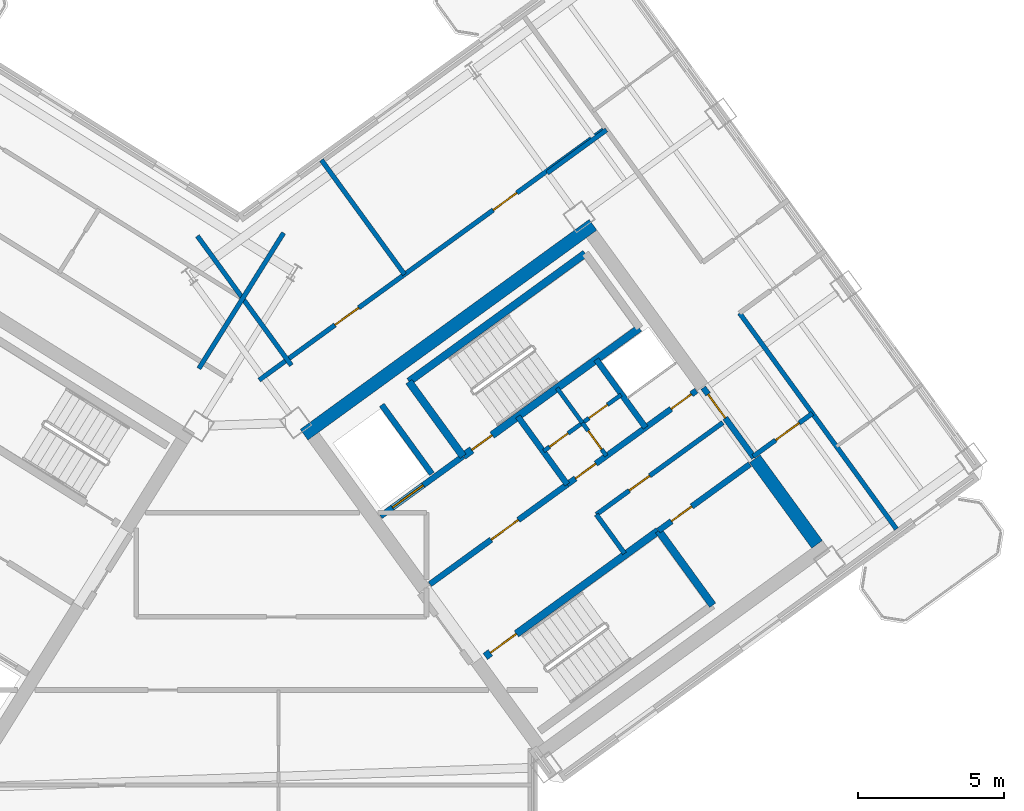
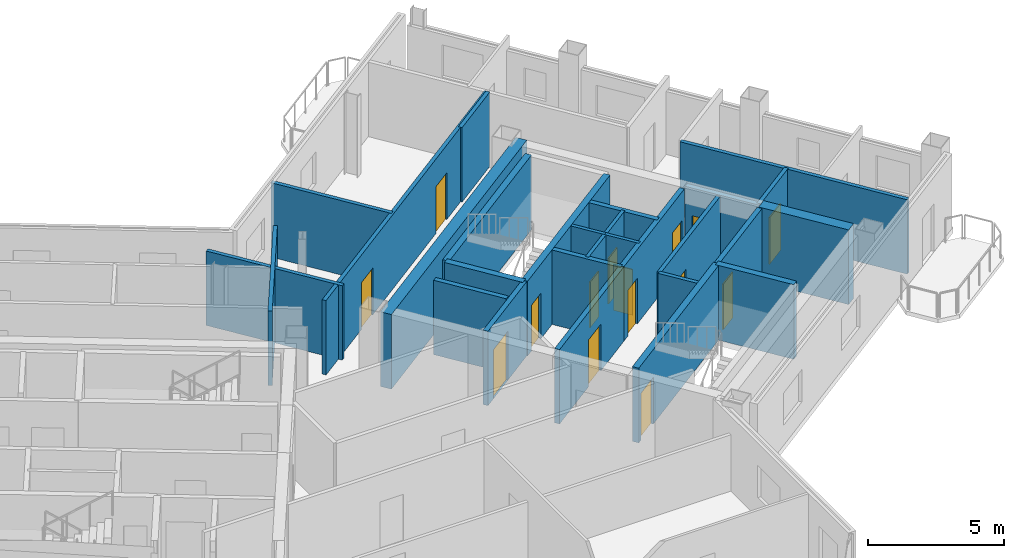
# One storey, part 14 of 21: 27 walls, 15 doors, 15 openings.
"""IFC4 building model written with IfcOpenShell, lengths in metres."""

from ifc_helpers import new_model, si_unit, direction, frame, frame_2d, origin, place, context, subcontext, project, spatial, rectangle, extrude, source, transform, mapped, material, layer, layer_set, type_object, element, fill, save


model = new_model("IFC4")

# Units and contexts
model_context = context("Model", 3, precision=1e-05, world=origin(), true_north=direction((0.0, 1.0)))
body_context = subcontext(model_context, "Body", "Model", "MODEL_VIEW")
ifc_project = project(units=[si_unit("LENGTHUNIT", "METRE"), si_unit("AREAUNIT", "SQUARE_METRE"), si_unit("VOLUMEUNIT", "CUBIC_METRE"), si_unit("PLANEANGLEUNIT", "RADIAN"), si_unit("MASSUNIT", "GRAM", prefix="KILO")], contexts=[model_context])

# Site, building, storey
site_placement = place(None, origin())
site = spatial("IfcSite", under=ifc_project, at=site_placement, CompositionType="ELEMENT")
building_placement = place(site_placement, origin())
building = spatial("IfcBuilding", under=site, at=building_placement, Name="Tlacorven Tower", CompositionType="ELEMENT")
storey_placement = place(building_placement, frame((0.0, 0.0, 207.60009765625)))
storey = spatial("IfcBuildingStorey", under=building, at=storey_placement, Name="L52", CompositionType="ELEMENT", Elevation=207.60009765625)

# Walls
ifc_material_1 = material(Name="Concrete C50/60", Category="concrete")
ifc_layer_1 = layer(ifc_material_1, 0.449951171875)
ifc_layer_set_1 = layer_set([ifc_layer_1], Name="Concrete C50/60")
wall_type_1 = type_object("IfcWallType", Name="WL-COR-450", PredefinedType="SHEAR", material=ifc_layer_set_1)
wall_1_placement = place(storey_placement, frame((44.405517578125, 24.171630859375, 0.0), z_axis=(0.0, 0.0, 1.0), x_axis=(0.809012867805, 0.587790931986, 0.0)))
element("IfcWall", 1, at=wall_1_placement, inside=storey, type_object=wall_type_1, Name="L52 E core shear wall S2", PredefinedType="SHEAR", context=body_context, shape_type="SweptSolid", body=[
    extrude(rectangle(XDim=12.239990234375, YDim=0.449951171875, at=frame_2d((6.1201171875, 0.0))), origin(), (0.0, 0.0, 1.0), 3.349853515625),
])
wall_2_placement = place(storey_placement, frame((61.987548828125, 20.413330078125, 0.0), z_axis=(0.0, 0.0, 1.0), x_axis=(-0.587819244441, 0.808992296542, 0.0)))
element("IfcWall", 2, at=wall_2_placement, inside=storey, type_object=wall_type_1, Name="L52 E core end wall E2.1", PredefinedType="SHEAR", context=body_context, shape_type="SweptSolid", body=[
    extrude(rectangle(XDim=3.625, YDim=0.449951171875, at=frame_2d((1.8125, 0.0))), origin(), (0.0, 0.0, 1.0), 3.349853515625),
])

# Wall, opening, door
ifc_material_2 = material(Name="Gypsum plasterboard acoustic partition", Category="gypsum")
ifc_layer_2 = layer(ifc_material_2, 0.159912109375)
ifc_layer_set_2 = layer_set([ifc_layer_2], Name="Gypsum plasterboard acoustic partition")
wall_type_2 = type_object("IfcWallType", Name="WL-DEM-160", PredefinedType="PARTITIONING", material=ifc_layer_set_2)
wall_3_placement = place(storey_placement, frame((54.421142578125, 21.436279296875, 0.0), z_axis=(0.0, 0.0, 1.0), x_axis=(0.809013710463, 0.587789772183, 0.0)))
wall_3 = element("IfcWall", 3, at=wall_3_placement, inside=storey, type_object=wall_type_2, Name="L52 partition 29", PredefinedType="PARTITIONING", context=body_context, shape_type="SweptSolid", body=[
    extrude(rectangle(XDim=5.360107421875, YDim=0.159912109375, at=frame_2d((2.68017578125, 0.0))), origin(), (0.0, 0.0, 1.0), 3.33984375),
])
opening_1_placement = place(wall_3_placement, frame((1.39990234375, 0.0, 0.0)))
opening_1 = element("IfcOpeningElement", 4, at=opening_1_placement, cuts=wall_3, Name="Opening D19", PredefinedType="OPENING", context=body_context, shape_type="SweptSolid", body=[
    extrude(rectangle(XDim=0.860107421875, YDim=2.050048828125, at=frame_2d((0.43017578125, 1.02490234375))), frame((0.0, 0.08984375, 0.0), z_axis=(0.0, -1.0, 0.0), x_axis=(1.0, 0.0, 0.0)), (0.0, 0.0, 1.0), 0.179931640625),
])
ifc_material_3 = material(Name="Fire-rated steel door assembly", Category="steel")
door_type_1 = type_object("IfcDoorType", Name="DR-RSR-FD60-0860", OperationType="NOTDEFINED", PredefinedType="DOOR", material=ifc_material_3)
shared_shape_1 = source(origin(), body_context, "Body", "SweptSolid", [
    extrude(rectangle(XDim=0.860107421875, YDim=2.050048828125, at=frame_2d((0.43017578125, 1.02490234375))), frame((0.0, 0.02490234375, 0.0), z_axis=(0.0, -1.0, 0.0), x_axis=(1.0, 0.0, 0.0)), (0.0, 0.0, 1.0), 0.050048828125),
])
door_1_placement = place(opening_1_placement, origin())
door_1 = element("IfcDoor", 5, at=door_1_placement, inside=storey, type_object=door_type_1, Name="L52 Freed Core Store Door", OperationType="SINGLE_SWING_LEFT", OverallHeight=2.050048828125, OverallWidth=0.860107421875, PredefinedType="DOOR", context=body_context, shape_type="MappedRepresentation", body=[
    mapped(shared_shape_1, transform((0.0, 0.0, 0.0), scale=1.0)),
])
fill(opening_1, door_1)

# Walls
wall_4_placement = place(storey_placement, frame((55.390869140625, 20.1015625, 0.0), z_axis=(0.0, 0.0, 1.0), x_axis=(-0.58778447739, 0.809017557374, 0.0)))
element("IfcWall", 6, at=wall_4_placement, inside=storey, type_object=wall_type_2, Name="L52 partition 30", PredefinedType="PARTITIONING", context=body_context, shape_type="SweptSolid", body=[
    extrude(rectangle(XDim=1.64990234375, YDim=0.159912109375, at=frame_2d((0.824951171875, 0.0))), origin(), (0.0, 0.0, 1.0), 3.33984375),
])
wall_5_placement = place(storey_placement, frame((43.70361328125, 31.086181640625, 0.0), z_axis=(0.0, 0.0, 1.0), x_axis=(-0.529906828443, -0.848055866774, 0.0)))
element("IfcWall", 7, at=wall_5_placement, inside=storey, type_object=wall_type_2, Name="L52 WC West Throat Wall", PredefinedType="PARTITIONING", context=body_context, shape_type="SweptSolid", body=[
    extrude(rectangle(XDim=5.479736328125, YDim=0.159912109375, at=frame_2d((2.73974609375, 0.0))), origin(), (0.0, 0.0, 1.0), 3.33984375),
])

# Wall, opening, door
wall_6_placement = place(storey_placement, frame((59.7978515625, 23.427001953125, 0.0), z_axis=(0.0, 0.0, 1.0), x_axis=(0.809034604122, 0.587761013791, 0.0)))
wall_6 = element("IfcWall", 8, at=wall_6_placement, inside=storey, type_object=wall_type_2, Name="L52 partition 75", PredefinedType="PARTITIONING", context=body_context, shape_type="SweptSolid", body=[
    extrude(rectangle(XDim=2.510009765625, YDim=0.159912109375, at=frame_2d((1.2548828125, 0.0))), origin(), (0.0, 0.0, 1.0), 3.33984375),
])
opening_2_placement = place(wall_6_placement, frame((0.949951171875, 0.0, 0.0)))
opening_2 = element("IfcOpeningElement", 9, at=opening_2_placement, cuts=wall_6, Name="Opening D11", PredefinedType="OPENING", context=body_context, shape_type="SweptSolid", body=[
    extrude(rectangle(XDim=1.0, YDim=2.10009765625, at=frame_2d((0.5, 1.050048828125))), frame((0.0, 0.08984375, 0.0), z_axis=(0.0, -1.0, 0.0), x_axis=(1.0, 0.0, 0.0)), (0.0, 0.0, 1.0), 0.179931640625),
])
door_type_2 = type_object("IfcDoorType", Name="DR-FLT-FD60-1000", OperationType="NOTDEFINED", PredefinedType="DOOR", material=ifc_material_3)
shared_shape_2 = source(origin(), body_context, "Body", "SweptSolid", [
    extrude(rectangle(XDim=1.0, YDim=2.10009765625, at=frame_2d((0.5, 1.050048828125))), frame((0.0, 0.02490234375, 0.0), z_axis=(0.0, -1.0, 0.0), x_axis=(1.0, 0.0, 0.0)), (0.0, 0.0, 1.0), 0.050048828125),
])
door_2_placement = place(opening_2_placement, frame((1.0, 0.0, 0.0), z_axis=(0.0, 0.0, 1.0), x_axis=(-1.0, 0.0, 0.0)))
door_2 = element("IfcDoor", 10, at=door_2_placement, inside=storey, type_object=door_type_2, Name="L52 door 050", OperationType="SINGLE_SWING_LEFT", OverallHeight=2.10009765625, OverallWidth=1.0, PredefinedType="DOOR", context=body_context, shape_type="MappedRepresentation", body=[
    mapped(shared_shape_2, transform((0.0, 0.0, 0.0), scale=1.0)),
])
fill(opening_2, door_2)

# Walls
wall_7_placement = place(storey_placement, frame((52.73876953125, 33.143310546875, 0.0), z_axis=(0.0, 0.0, 1.0), x_axis=(0.809000999347, 0.58780726693, 0.0)))
element("IfcWall", 11, at=wall_7_placement, inside=storey, type_object=wall_type_2, Name="L52 partition 76", PredefinedType="PARTITIONING", context=body_context, shape_type="SweptSolid", body=[
    extrude(rectangle(XDim=2.510009765625, YDim=0.159912109375, at=frame_2d((1.2548828125, 0.0))), origin(), (0.0, 0.0, 1.0), 3.33984375),
])
wall_8_placement = place(storey_placement, frame((64.708740234375, 20.93798828125, 0.0), z_axis=(0.0, 0.0, 1.0), x_axis=(-0.587776590479, 0.80902328748, 0.0)))
element("IfcWall", 12, at=wall_8_placement, inside=storey, type_object=wall_type_2, Name="L52 partition 77", PredefinedType="PARTITIONING", context=body_context, shape_type="SweptSolid", body=[
    extrude(rectangle(XDim=9.150146484375, YDim=0.159912109375, at=frame_2d((4.5751953125, 0.0))), origin(), (0.0, 0.0, 1.0), 3.33984375),
])

# Wall, openings, doors
wall_9_placement = place(storey_placement, frame((42.86572265625, 26.04443359375, 0.0), z_axis=(0.0, 0.0, 1.0), x_axis=(0.809020254154, 0.587780765566, 0.0)))
wall_9 = element("IfcWall", 13, at=wall_9_placement, inside=storey, type_object=wall_type_2, Name="L52 partition 84", PredefinedType="PARTITIONING", context=body_context, shape_type="SweptSolid", body=[
    extrude(rectangle(XDim=14.670166015625, YDim=0.159912109375, at=frame_2d((7.3349609375, 0.0))), origin(), (0.0, 0.0, 1.0), 3.33984375),
])
opening_3_placement = place(wall_9_placement, frame((3.215087890625, 0.0, 0.0)))
opening_3 = element("IfcOpeningElement", 14, at=opening_3_placement, cuts=wall_9, Name="Opening D11", PredefinedType="OPENING", context=body_context, shape_type="SweptSolid", body=[
    extrude(rectangle(XDim=1.0, YDim=2.10009765625, at=frame_2d((0.5, 1.050048828125))), frame((0.0, 0.08984375, 0.0), z_axis=(0.0, -1.0, 0.0), x_axis=(1.0, 0.0, 0.0)), (0.0, 0.0, 1.0), 0.179931640625),
])
opening_4_placement = place(wall_9_placement, frame((9.9150390625, 0.0, 0.0)))
opening_4 = element("IfcOpeningElement", 15, at=opening_4_placement, cuts=wall_9, Name="Opening D11", PredefinedType="OPENING", context=body_context, shape_type="SweptSolid", body=[
    extrude(rectangle(XDim=1.0, YDim=2.10009765625, at=frame_2d((0.5, 1.050048828125))), frame((0.0, 0.08984375, 0.0), z_axis=(0.0, -1.0, 0.0), x_axis=(1.0, 0.0, 0.0)), (0.0, 0.0, 1.0), 0.179931640625),
])
door_3_placement = place(opening_3_placement, origin())
door_3 = element("IfcDoor", 16, at=door_3_placement, inside=storey, type_object=door_type_2, Name="L52 door 056", OperationType="SINGLE_SWING_LEFT", OverallHeight=2.10009765625, OverallWidth=1.0, PredefinedType="DOOR", context=body_context, shape_type="MappedRepresentation", body=[
    mapped(shared_shape_2, transform((0.0, 0.0, 0.0), scale=1.0)),
])
fill(opening_3, door_3)
door_4_placement = place(opening_4_placement, origin())
door_4 = element("IfcDoor", 17, at=door_4_placement, inside=storey, type_object=door_type_2, Name="L52 door 057", OperationType="SINGLE_SWING_RIGHT", OverallHeight=2.10009765625, OverallWidth=1.0, PredefinedType="DOOR", context=body_context, shape_type="MappedRepresentation", body=[
    mapped(shared_shape_2, transform((0.0, 0.0, 0.0), scale=1.0)),
])
fill(opening_4, door_4)

# Walls
wall_10_placement = place(storey_placement, frame((43.969482421875, 26.549560546875, 0.0), z_axis=(0.0, 0.0, 1.0), x_axis=(-0.587776919386, 0.80902304852, 0.0)))
element("IfcWall", 18, at=wall_10_placement, inside=storey, type_object=wall_type_2, Name="L52 EC West Throat Wall", PredefinedType="PARTITIONING", context=body_context, shape_type="SweptSolid", body=[
    extrude(rectangle(XDim=5.47998046875, YDim=0.159912109375, at=frame_2d((2.739990234375, 0.0))), origin(), (0.0, 0.0, 1.0), 3.33984375),
])
wall_11_placement = place(storey_placement, frame((47.849365234375, 29.6650390625, 0.0), z_axis=(0.0, 0.0, 1.0), x_axis=(-0.587785532001, 0.809016791155, 0.0)))
element("IfcWall", 19, at=wall_11_placement, inside=storey, type_object=wall_type_2, Name="L52 EC Demising Wall 1", PredefinedType="PARTITIONING", context=body_context, shape_type="SweptSolid", body=[
    extrude(rectangle(XDim=4.85009765625, YDim=0.159912109375, at=frame_2d((2.425048828125, 0.0))), origin(), (0.0, 0.0, 1.0), 3.33984375),
])

# Wall, opening, door
ifc_material_4 = material(Name="Moisture-resistant gypsum plumbing wall", Category="gypsum")
ifc_layer_3 = layer(ifc_material_4, 0.139892578125)
ifc_layer_set_3 = layer_set([ifc_layer_3], Name="Moisture-resistant gypsum plumbing wall")
wall_type_3 = type_object("IfcWallType", Name="WL-PLM-140", PredefinedType="PLUMBINGWALL", material=ifc_layer_set_3)
wall_12_placement = place(storey_placement, frame((54.767578125, 23.443359375, 0.0), z_axis=(0.0, 0.0, 1.0), x_axis=(-0.587736077749, 0.809052719489, 0.0)))
wall_12 = element("IfcWall", 20, at=wall_12_placement, inside=storey, type_object=wall_type_3, Name="L52 partition 35", PredefinedType="PLUMBINGWALL", context=body_context, shape_type="SweptSolid", body=[
    extrude(rectangle(XDim=1.39990234375, YDim=0.139892578125, at=frame_2d((0.699951171875, 0.0))), origin(), (0.0, 0.0, 1.0), 3.33984375),
])
opening_5_placement = place(wall_12_placement, frame((0.280029296875, 0.0, 0.0)))
opening_5 = element("IfcOpeningElement", 21, at=opening_5_placement, cuts=wall_12, Name="Opening D22", PredefinedType="OPENING", context=body_context, shape_type="SweptSolid", body=[
    extrude(rectangle(XDim=0.780029296875, YDim=2.050048828125, at=frame_2d((0.39013671875, 1.02490234375))), frame((0.0, 0.080078125, 0.0), z_axis=(0.0, -1.0, 0.0), x_axis=(1.0, 0.0, 0.0)), (0.0, 0.0, 1.0), 0.159912109375),
])
ifc_material_5 = material(Name="Powder-coated aluminium and timber door", Category="wood")
door_type_3 = type_object("IfcDoorType", Name="DR-INT-WET-0780", OperationType="NOTDEFINED", PredefinedType="DOOR", material=ifc_material_5)
shared_shape_3 = source(origin(), body_context, "Body", "SweptSolid", [
    extrude(rectangle(XDim=0.780029296875, YDim=2.050048828125, at=frame_2d((0.39013671875, 1.02490234375))), frame((0.0, 0.02490234375, 0.0), z_axis=(0.0, -1.0, 0.0), x_axis=(1.0, 0.0, 0.0)), (0.0, 0.0, 1.0), 0.050048828125),
])
door_5_placement = place(opening_5_placement, origin())
door_5 = element("IfcDoor", 22, at=door_5_placement, inside=storey, type_object=door_type_3, Name="L52 door 019", OperationType="SINGLE_SWING_LEFT", OverallHeight=2.050048828125, OverallWidth=0.780029296875, PredefinedType="DOOR", context=body_context, shape_type="MappedRepresentation", body=[
    mapped(shared_shape_3, transform((0.0, 0.0, 0.0), scale=1.0)),
])
fill(opening_5, door_5)

# Wall
wall_13_placement = place(storey_placement, frame((53.94482421875, 24.575927734375, 0.0), z_axis=(0.0, 0.0, 1.0), x_axis=(-0.587897037186, 0.808935766095, 0.0)))
element("IfcWall", 23, at=wall_13_placement, inside=storey, type_object=wall_type_3, Name="L52 partition 36", PredefinedType="PLUMBINGWALL", context=body_context, shape_type="SweptSolid", body=[
    extrude(rectangle(XDim=1.47998046875, YDim=0.139892578125, at=frame_2d((0.739990234375, 0.0))), origin(), (0.0, 0.0, 1.0), 3.33984375),
])

# Wall, openings, doors
wall_14_placement = place(storey_placement, frame((52.617919921875, 23.612060546875, 0.0), z_axis=(0.0, 0.0, 1.0), x_axis=(0.809009587469, 0.587795446889, 0.0)))
wall_14 = element("IfcWall", 24, at=wall_14_placement, inside=storey, type_object=wall_type_3, Name="L52 partition 37", PredefinedType="PLUMBINGWALL", context=body_context, shape_type="SweptSolid", body=[
    extrude(rectangle(XDim=3.280029296875, YDim=0.139892578125, at=frame_2d((1.64013671875, 0.0))), origin(), (0.0, 0.0, 1.0), 3.33984375),
])
opening_6_placement = place(wall_14_placement, frame((0.25, 0.0, 0.0)))
opening_6 = element("IfcOpeningElement", 25, at=opening_6_placement, cuts=wall_14, Name="Opening D22", PredefinedType="OPENING", context=body_context, shape_type="SweptSolid", body=[
    extrude(rectangle(XDim=0.780029296875, YDim=2.050048828125, at=frame_2d((0.39013671875, 1.02490234375))), frame((0.0, 0.080078125, 0.0), z_axis=(0.0, -1.0, 0.0), x_axis=(1.0, 0.0, 0.0)), (0.0, 0.0, 1.0), 0.159912109375),
])
opening_7_placement = place(wall_14_placement, frame((1.919921875, 0.0, 0.0)))
opening_7 = element("IfcOpeningElement", 26, at=opening_7_placement, cuts=wall_14, Name="Opening D22", PredefinedType="OPENING", context=body_context, shape_type="SweptSolid", body=[
    extrude(rectangle(XDim=0.780029296875, YDim=2.050048828125, at=frame_2d((0.39013671875, 1.02490234375))), frame((0.0, 0.080078125, 0.0), z_axis=(0.0, -1.0, 0.0), x_axis=(1.0, 0.0, 0.0)), (0.0, 0.0, 1.0), 0.159912109375),
])
door_6_placement = place(opening_6_placement, origin())
door_6 = element("IfcDoor", 27, at=door_6_placement, inside=storey, type_object=door_type_3, Name="L52 door 020", OperationType="SINGLE_SWING_RIGHT", OverallHeight=2.050048828125, OverallWidth=0.780029296875, PredefinedType="DOOR", context=body_context, shape_type="MappedRepresentation", body=[
    mapped(shared_shape_3, transform((0.0, 0.0, 0.0), scale=1.0)),
])
fill(opening_6, door_6)
door_7_placement = place(opening_7_placement, origin())
door_7 = element("IfcDoor", 28, at=door_7_placement, inside=storey, type_object=door_type_3, Name="L52 door 021", OperationType="SINGLE_SWING_LEFT", OverallHeight=2.050048828125, OverallWidth=0.780029296875, PredefinedType="DOOR", context=body_context, shape_type="MappedRepresentation", body=[
    mapped(shared_shape_3, transform((0.0, 0.0, 0.0), scale=1.0)),
])
fill(opening_7, door_7)

# Wall, opening, door
ifc_material_6 = material(Name="Concrete C40/50", Category="concrete")
ifc_layer_4 = layer(ifc_material_6, 0.199951171875)
ifc_layer_set_4 = layer_set([ifc_layer_4], Name="Concrete C40/50")
wall_type_4 = type_object("IfcWallType", Name="WL-SHF-200", PredefinedType="STANDARD", material=ifc_layer_set_4)
wall_15_placement = place(storey_placement, frame((47.02490234375, 21.3779296875, 0.0), z_axis=(0.0, 0.0, 1.0), x_axis=(0.809052869724, 0.587735870941, 0.0)))
wall_15 = element("IfcWall", 29, at=wall_15_placement, inside=storey, type_object=wall_type_4, Name="L52 Core E Firefighting Lift Shaft Front Wall", PredefinedType="STANDARD", context=body_context, shape_type="SweptSolid", body=[
    extrude(rectangle(XDim=3.498046875, YDim=0.199951171875, at=frame_2d((1.7490234375, 0.0))), origin(), (0.0, 0.0, 1.0), 3.33984375),
])
opening_8_placement = place(wall_15_placement, frame((0.508056640625, 0.0, 0.0)))
opening_8 = element("IfcOpeningElement", 30, at=opening_8_placement, cuts=wall_15, Name="Opening LD03", PredefinedType="OPENING", context=body_context, shape_type="SweptSolid", body=[
    extrude(rectangle(XDim=1.300048828125, YDim=2.199951171875, at=frame_2d((0.64990234375, 1.10009765625))), frame((0.0, 0.10986328125, 0.0), z_axis=(0.0, -1.0, 0.0), x_axis=(1.0, 0.0, 0.0)), (0.0, 0.0, 1.0), 0.219970703125),
])
door_type_4 = type_object("IfcDoorType", Name="DR-LFT-SLID-1300", OperationType="DOUBLE_DOOR_SLIDING", PredefinedType="DOOR", material=ifc_material_3)
shared_shape_4 = source(origin(), body_context, "Body", "SweptSolid", [
    extrude(rectangle(XDim=1.300048828125, YDim=2.199951171875, at=frame_2d((0.64990234375, 1.10009765625))), frame((0.0, 0.02490234375, 0.0), z_axis=(0.0, -1.0, 0.0), x_axis=(1.0, 0.0, 0.0)), (0.0, 0.0, 1.0), 0.050048828125),
])
door_8_placement = place(opening_8_placement, origin())
door_8 = element("IfcDoor", 31, at=door_8_placement, inside=storey, type_object=door_type_4, Name="L52 Lift FFL-E1 Sliding Landing Door", OperationType="DOUBLE_DOOR_SLIDING", OverallHeight=2.199951171875, OverallWidth=1.300048828125, PredefinedType="DOOR", context=body_context, shape_type="MappedRepresentation", body=[
    mapped(shared_shape_4, transform((0.0, 0.0, 0.0), scale=1.0)),
])
fill(opening_8, door_8)

wall_16_placement = place(storey_placement, frame((48.7177734375, 19.0478515625, 0.0), z_axis=(0.0, 0.0, 1.0), x_axis=(0.809017261719, 0.587784884325, 0.0)))
wall_16 = element("IfcWall", 32, at=wall_16_placement, inside=storey, type_object=wall_type_4, Name="L52 Core E Smoke Lobby Wall", PredefinedType="STANDARD", context=body_context, shape_type="SweptSolid", body=[
    extrude(rectangle(XDim=5.81787109375, YDim=0.199951171875, at=frame_2d((2.908935546875, 0.0))), origin(), (0.0, 0.0, 1.0), 3.33984375),
])
opening_9_placement = place(wall_16_placement, frame((2.597900390625, 0.0, 0.0)))
opening_9 = element("IfcOpeningElement", 33, at=opening_9_placement, cuts=wall_16, Name="Opening D09", PredefinedType="OPENING", context=body_context, shape_type="SweptSolid", body=[
    extrude(rectangle(XDim=1.14990234375, YDim=2.10009765625, at=frame_2d((0.574951171875, 1.050048828125))), frame((0.0, 0.10986328125, 0.0), z_axis=(0.0, -1.0, 0.0), x_axis=(1.0, 0.0, 0.0)), (0.0, 0.0, 1.0), 0.219970703125),
])
door_type_5 = type_object("IfcDoorType", Name="DR-FFL-FD60-1150", OperationType="NOTDEFINED", PredefinedType="DOOR", material=ifc_material_3)
shared_shape_5 = source(origin(), body_context, "Body", "SweptSolid", [
    extrude(rectangle(XDim=1.14990234375, YDim=2.10009765625, at=frame_2d((0.574951171875, 1.050048828125))), frame((0.0, 0.02490234375, 0.0), z_axis=(0.0, -1.0, 0.0), x_axis=(1.0, 0.0, 0.0)), (0.0, 0.0, 1.0), 0.050048828125),
])
door_9_placement = place(opening_9_placement, origin())
door_9 = element("IfcDoor", 34, at=door_9_placement, inside=storey, type_object=door_type_5, Name="L52 Firefighting Lobby E Fire Door", OperationType="SINGLE_SWING_LEFT", OverallHeight=2.10009765625, OverallWidth=1.14990234375, PredefinedType="DOOR", context=body_context, shape_type="MappedRepresentation", body=[
    mapped(shared_shape_5, transform((0.0, 0.0, 0.0), scale=1.0)),
])
fill(opening_9, door_9)

wall_17_placement = place(storey_placement, frame((56.552978515625, 20.884033203125, 0.0), z_axis=(0.0, 0.0, 1.0), x_axis=(0.809041669066, 0.587751288995, 0.0)))
wall_17 = element("IfcWall", 35, at=wall_17_placement, inside=storey, type_object=wall_type_4, Name="L52 Core E South Lift Shaft Wall", PredefinedType="STANDARD", context=body_context, shape_type="SweptSolid", body=[
    extrude(rectangle(XDim=3.867919921875, YDim=0.199951171875, at=frame_2d((1.93408203125, 0.0))), origin(), (0.0, 0.0, 1.0), 3.33984375),
])
opening_10_placement = place(wall_17_placement, frame((0.550048828125, 0.0, 0.0)))
opening_10 = element("IfcOpeningElement", 36, at=opening_10_placement, cuts=wall_17, Name="Opening D19", PredefinedType="OPENING", context=body_context, shape_type="SweptSolid", body=[
    extrude(rectangle(XDim=0.860107421875, YDim=2.050048828125, at=frame_2d((0.43017578125, 1.02490234375))), frame((0.0, 0.10986328125, 0.0), z_axis=(0.0, -1.0, 0.0), x_axis=(1.0, 0.0, 0.0)), (0.0, 0.0, 1.0), 0.219970703125),
])
door_10_placement = place(opening_10_placement, origin())
door_10 = element("IfcDoor", 37, at=door_10_placement, inside=storey, type_object=door_type_1, Name="L52 East Telecoms Riser Access Door", OperationType="SINGLE_SWING_RIGHT", OverallHeight=2.050048828125, OverallWidth=0.860107421875, PredefinedType="DOOR", context=body_context, shape_type="MappedRepresentation", body=[
    mapped(shared_shape_1, transform((0.0, 0.0, 0.0), scale=1.0)),
])
fill(opening_10, door_10)

# Walls
wall_18_placement = place(storey_placement, frame((48.78564453125, 22.830078125, 0.0), z_axis=(0.0, 0.0, 1.0), x_axis=(-0.587783856777, 0.809018008275, 0.0)))
element("IfcWall", 38, at=wall_18_placement, inside=storey, type_object=wall_type_4, Name="L52 partition 31", PredefinedType="STANDARD", context=body_context, shape_type="SweptSolid", body=[
    extrude(rectangle(XDim=2.919921875, YDim=0.199951171875, at=frame_2d((1.4599609375, 0.0))), origin(), (0.0, 0.0, 1.0), 3.33984375),
])
wall_19_placement = place(storey_placement, frame((53.424560546875, 22.467529296875, 0.0), z_axis=(0.0, 0.0, 1.0), x_axis=(-0.5877230039, 0.809062216821, 0.0)))
element("IfcWall", 39, at=wall_19_placement, inside=storey, type_object=wall_type_4, Name="L52 partition 32", PredefinedType="STANDARD", context=body_context, shape_type="SweptSolid", body=[
    extrude(rectangle(XDim=2.8798828125, YDim=0.199951171875, at=frame_2d((1.43994140625, 0.0))), origin(), (0.0, 0.0, 1.0), 3.33984375),
])
wall_20_placement = place(storey_placement, frame((56.110595703125, 24.4189453125, 0.0), z_axis=(0.0, 0.0, 1.0), x_axis=(-0.58777848983, 0.809021907548, 0.0)))
element("IfcWall", 40, at=wall_20_placement, inside=storey, type_object=wall_type_4, Name="L52 partition 33", PredefinedType="STANDARD", context=body_context, shape_type="SweptSolid", body=[
    extrude(rectangle(XDim=2.880126953125, YDim=0.199951171875, at=frame_2d((1.43994140625, 0.0))), origin(), (0.0, 0.0, 1.0), 3.33984375),
])

# Wall, openings, doors
wall_21_placement = place(storey_placement, frame((53.424560546875, 22.467529296875, 0.0), z_axis=(0.0, 0.0, 1.0), x_axis=(0.809015945709, 0.587786695655, 0.0)))
wall_21 = element("IfcWall", 41, at=wall_21_placement, inside=storey, type_object=wall_type_4, Name="L52 Core E North Service Wall", PredefinedType="STANDARD", context=body_context, shape_type="SweptSolid", body=[
    extrude(rectangle(XDim=5.46826171875, YDim=0.199951171875, at=frame_2d((2.734130859375, 0.0))), origin(), (0.0, 0.0, 1.0), 3.33984375),
])
opening_11_placement = place(wall_21_placement, frame((4.39990234375, 0.0, 0.0)))
opening_11 = element("IfcOpeningElement", 42, at=opening_11_placement, cuts=wall_21, Name="Opening D19", PredefinedType="OPENING", context=body_context, shape_type="SweptSolid", body=[
    extrude(rectangle(XDim=0.860107421875, YDim=2.050048828125, at=frame_2d((0.43017578125, 1.02490234375))), frame((0.0, 0.10986328125, 0.0), z_axis=(0.0, -1.0, 0.0), x_axis=(1.0, 0.0, 0.0)), (0.0, 0.0, 1.0), 0.219970703125),
])
opening_12_placement = place(wall_21_placement, frame((0.35009765625, 0.0, 0.0)))
opening_12 = element("IfcOpeningElement", 43, at=opening_12_placement, cuts=wall_21, Name="Opening D19", PredefinedType="OPENING", context=body_context, shape_type="SweptSolid", body=[
    extrude(rectangle(XDim=0.860107421875, YDim=2.050048828125, at=frame_2d((0.43017578125, 1.02490234375))), frame((0.0, 0.10986328125, 0.0), z_axis=(0.0, -1.0, 0.0), x_axis=(1.0, 0.0, 0.0)), (0.0, 0.0, 1.0), 0.219970703125),
])
door_11_placement = place(opening_11_placement, frame((0.860107421875, 0.0, 0.0), z_axis=(0.0, 0.0, 1.0), x_axis=(-1.0, 0.0, 0.0)))
door_11 = element("IfcDoor", 44, at=door_11_placement, inside=storey, type_object=door_type_1, Name="L52 Electrical Riser Access Door E", OperationType="SINGLE_SWING_LEFT", OverallHeight=2.050048828125, OverallWidth=0.860107421875, PredefinedType="DOOR", context=body_context, shape_type="MappedRepresentation", body=[
    mapped(shared_shape_1, transform((0.0, 0.0, 0.0), scale=1.0)),
])
fill(opening_11, door_11)
door_12_placement = place(opening_12_placement, frame((0.860107421875, 0.0, 0.0), z_axis=(0.0, 0.0, 1.0), x_axis=(-1.0, 0.0, 0.0)))
door_12 = element("IfcDoor", 45, at=door_12_placement, inside=storey, type_object=door_type_1, Name="L52 Cleaning Room Access Door E", OperationType="SINGLE_SWING_RIGHT", OverallHeight=2.050048828125, OverallWidth=0.860107421875, PredefinedType="DOOR", context=body_context, shape_type="MappedRepresentation", body=[
    mapped(shared_shape_1, transform((0.0, 0.0, 0.0), scale=1.0)),
])
fill(opening_12, door_12)

# Wall, opening, door
wall_22_placement = place(storey_placement, frame((59.827392578125, 23.386474609375, 0.0), z_axis=(0.0, 0.0, 1.0), x_axis=(-0.587803840107, 0.809003489211, 0.0)))
wall_22 = element("IfcWall", 46, at=wall_22_placement, inside=storey, type_object=wall_type_4, Name="L52 partition 74", PredefinedType="STANDARD", context=body_context, shape_type="SweptSolid", body=[
    extrude(rectangle(XDim=2.960205078125, YDim=0.199951171875, at=frame_2d((1.47998046875, 0.0))), origin(), (0.0, 0.0, 1.0), 3.33984375),
])
opening_13_placement = place(wall_22_placement, frame((1.679931640625, 0.0, 0.0)))
opening_13 = element("IfcOpeningElement", 47, at=opening_13_placement, cuts=wall_22, Name="Opening D11", PredefinedType="OPENING", context=body_context, shape_type="SweptSolid", body=[
    extrude(rectangle(XDim=1.0, YDim=2.10009765625, at=frame_2d((0.5, 1.050048828125))), frame((0.0, 0.10986328125, 0.0), z_axis=(0.0, -1.0, 0.0), x_axis=(1.0, 0.0, 0.0)), (0.0, 0.0, 1.0), 0.219970703125),
])
door_13_placement = place(opening_13_placement, origin())
door_13 = element("IfcDoor", 48, at=door_13_placement, inside=storey, type_object=door_type_2, Name="L52 door 051", OperationType="SINGLE_SWING_RIGHT", OverallHeight=2.10009765625, OverallWidth=1.0, PredefinedType="DOOR", context=body_context, shape_type="MappedRepresentation", body=[
    mapped(shared_shape_2, transform((0.0, 0.0, 0.0), scale=1.0)),
])
fill(opening_13, door_13)

# Wall
ifc_layer_5 = layer(ifc_material_1, 0.260009765625)
ifc_layer_set_5 = layer_set([ifc_layer_5], Name="Concrete C50/60")
wall_type_5 = type_object("IfcWallType", Name="WL-STW-260", PredefinedType="SHEAR", material=ifc_layer_set_5)
wall_23_placement = place(storey_placement, frame((48.005615234375, 25.996337890625, 0.0), z_axis=(0.0, 0.0, 1.0), x_axis=(0.80901903764, 0.587782439969, 0.0)))
element("IfcWall", 49, at=wall_23_placement, inside=storey, type_object=wall_type_5, Name="L52 Stair E1 Far Shear Wall", PredefinedType="SHEAR", context=body_context, shape_type="SweptSolid", body=[
    extrude(rectangle(XDim=7.4599609375, YDim=0.260009765625, at=frame_2d((3.72998046875, 0.0))), origin(), (0.0, 0.0, 1.0), 3.349853515625),
])

# Wall, opening, door
wall_24_placement = place(storey_placement, frame((49.863037109375, 23.439697265625, 0.0), z_axis=(0.0, 0.0, 1.0), x_axis=(0.809003474932, 0.587803859759, 0.0)))
wall_24 = element("IfcWall", 50, at=wall_24_placement, inside=storey, type_object=wall_type_5, Name="L52 Stair E1 Lobby Shear Wall", PredefinedType="SHEAR", context=body_context, shape_type="SweptSolid", body=[
    extrude(rectangle(XDim=7.4599609375, YDim=0.260009765625, at=frame_2d((3.72998046875, 0.0))), origin(), (0.0, 0.0, 1.0), 3.349853515625),
])
opening_14_placement = place(wall_24_placement, frame((0.360107421875, 0.0, 0.0)))
opening_14 = element("IfcOpeningElement", 51, at=opening_14_placement, cuts=wall_24, Name="Opening D19", PredefinedType="OPENING", context=body_context, shape_type="SweptSolid", body=[
    extrude(rectangle(XDim=0.860107421875, YDim=2.050048828125, at=frame_2d((0.43017578125, 1.02490234375))), frame((0.0, 0.14013671875, 0.0), z_axis=(0.0, -1.0, 0.0), x_axis=(1.0, 0.0, 0.0)), (0.0, 0.0, 1.0), 0.280029296875),
])
door_14_placement = place(opening_14_placement, frame((0.860107421875, 0.0, 0.0), z_axis=(0.0, 0.0, 1.0), x_axis=(-1.0, 0.0, 0.0)))
door_14 = element("IfcDoor", 52, at=door_14_placement, inside=storey, type_object=door_type_1, Name="L52 Exit Stair E1 Fire Door", OperationType="SINGLE_SWING_LEFT", OverallHeight=2.050048828125, OverallWidth=0.860107421875, PredefinedType="DOOR", context=body_context, shape_type="MappedRepresentation", body=[
    mapped(shared_shape_1, transform((0.0, 0.0, 0.0), scale=1.0)),
])
fill(opening_14, door_14)

# Wall
wall_25_placement = place(storey_placement, frame((49.85498046875, 23.433837890625, 0.0), z_axis=(0.0, 0.0, 1.0), x_axis=(-0.58776738483, 0.809029975545, 0.0)))
element("IfcWall", 53, at=wall_25_placement, inside=storey, type_object=wall_type_5, Name="L52 Stair E1 West Shear Wall", PredefinedType="SHEAR", context=body_context, shape_type="SweptSolid", body=[
    extrude(rectangle(XDim=3.16015625, YDim=0.260009765625, at=frame_2d((1.580078125, 0.0))), origin(), (0.0, 0.0, 1.0), 3.349853515625),
])

# Wall, opening, door
wall_26_placement = place(storey_placement, frame((50.61474609375, 16.569580078125, 0.0), z_axis=(0.0, 0.0, 1.0), x_axis=(0.809028366311, 0.587769599847, 0.0)))
wall_26 = element("IfcWall", 54, at=wall_26_placement, inside=storey, type_object=wall_type_5, Name="L52 Stair E2 Lobby Shear Wall", PredefinedType="SHEAR", context=body_context, shape_type="SweptSolid", body=[
    extrude(rectangle(XDim=7.330078125, YDim=0.260009765625, at=frame_2d((3.6650390625, 0.0))), origin(), (0.0, 0.0, 1.0), 3.349853515625),
])
opening_15_placement = place(wall_26_placement, frame((0.219970703125, 0.0, 0.0)))
opening_15 = element("IfcOpeningElement", 55, at=opening_15_placement, cuts=wall_26, Name="Opening D07", PredefinedType="OPENING", context=body_context, shape_type="SweptSolid", body=[
    extrude(rectangle(XDim=1.10009765625, YDim=2.10009765625, at=frame_2d((0.550048828125, 1.050048828125))), frame((0.0, 0.14013671875, 0.0), z_axis=(0.0, -1.0, 0.0), x_axis=(1.0, 0.0, 0.0)), (0.0, 0.0, 1.0), 0.280029296875),
])
door_type_6 = type_object("IfcDoorType", Name="DR-STR-FD90-1100", OperationType="NOTDEFINED", PredefinedType="DOOR", material=ifc_material_3)
shared_shape_6 = source(origin(), body_context, "Body", "SweptSolid", [
    extrude(rectangle(XDim=1.10009765625, YDim=2.10009765625, at=frame_2d((0.550048828125, 1.050048828125))), frame((0.0, 0.02490234375, 0.0), z_axis=(0.0, -1.0, 0.0), x_axis=(1.0, 0.0, 0.0)), (0.0, 0.0, 1.0), 0.050048828125),
])
door_15_placement = place(opening_15_placement, origin())
door_15 = element("IfcDoor", 56, at=door_15_placement, inside=storey, type_object=door_type_6, Name="L52 Exit Stair E2 Fire Door", OperationType="SINGLE_SWING_RIGHT", OverallHeight=2.10009765625, OverallWidth=1.10009765625, PredefinedType="DOOR", context=body_context, shape_type="MappedRepresentation", body=[
    mapped(shared_shape_6, transform((0.0, 0.0, 0.0), scale=1.0)),
])
fill(opening_15, door_15)

# Wall
wall_27_placement = place(storey_placement, frame((58.410400390625, 18.327392578125, 0.0), z_axis=(0.0, 0.0, 1.0), x_axis=(-0.58776738483, 0.809029975545, 0.0)))
element("IfcWall", 57, at=wall_27_placement, inside=storey, type_object=wall_type_5, Name="L52 Stair E2 East Shear Wall", PredefinedType="SHEAR", context=body_context, shape_type="SweptSolid", body=[
    extrude(rectangle(XDim=3.16015625, YDim=0.260009765625, at=frame_2d((1.580078125, 0.0))), origin(), (0.0, 0.0, 1.0), 3.349853515625),
])

save(model, "model.ifc")
